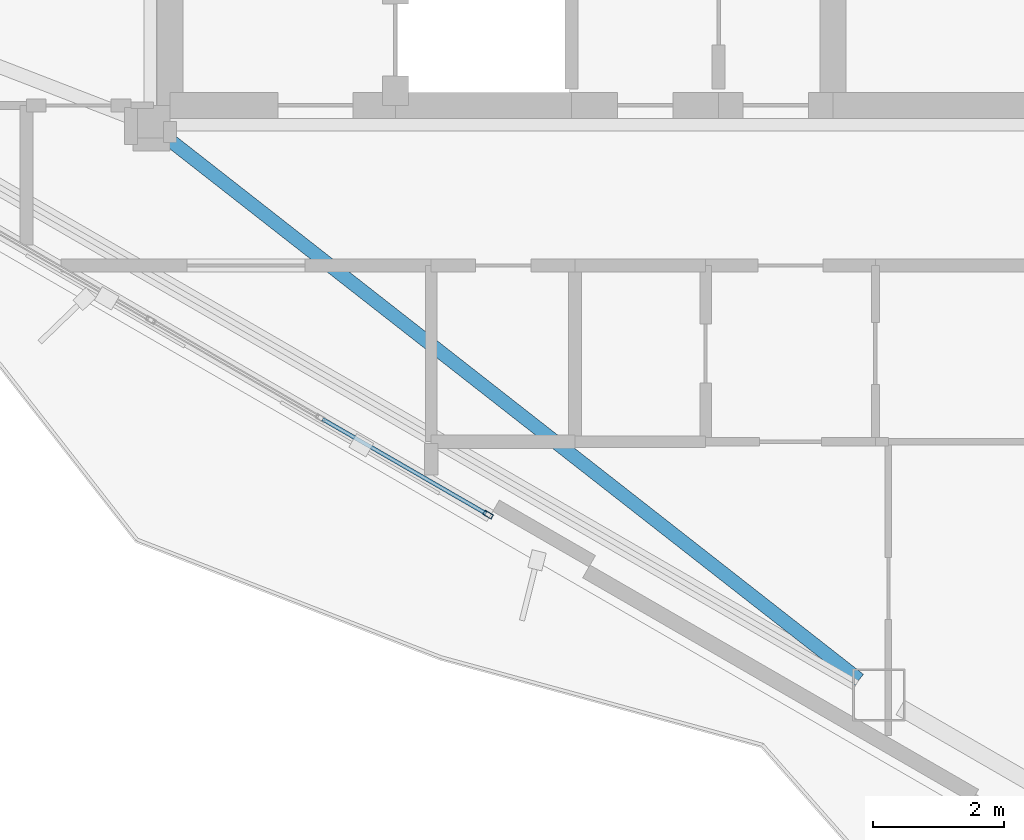
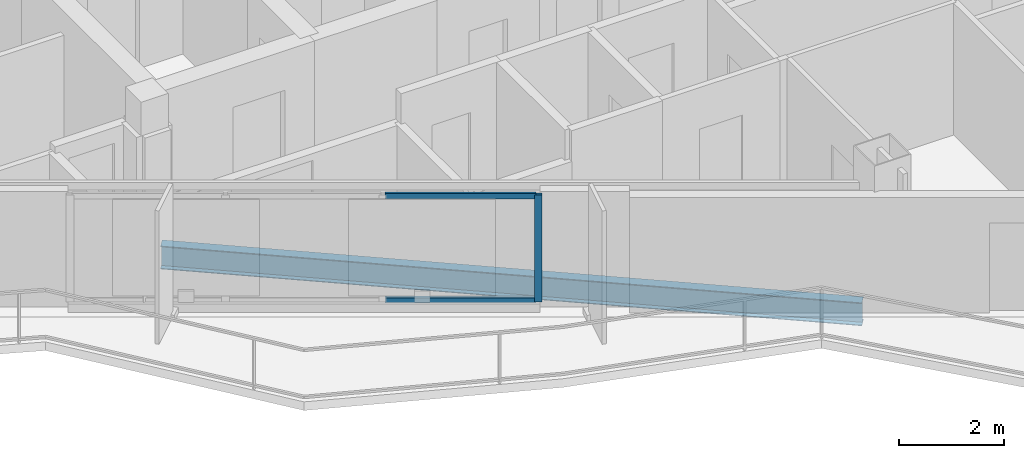
# One storey, part 4 of 22: 3 members, 1 beam, 1 element without a shape of its own.
"""IFC4 building model written with IfcOpenShell, lengths in metres."""

import ifcopenshell
import ifcopenshell.guid

model = None  # the IFC model being written
_history = None  # IfcOwnerHistory: only IFC2X3 demands one
_inside = {}  # id of a spatial element -> (the spatial element, [elements in it])
_under = {}  # id of a project, library or spatial element -> (it, [spatial elements below it])
_declared = {}  # id of a project -> (the project, [libraries it declares])
_typed = {}  # id of a type object -> (the type object, [elements of that type])
_made_of = {}  # id of a material, layer set ... -> (it, [elements and type objects made of it])


def new_model(schema):
    """Start an empty IFC model of exactly this schema.

    Asked for "IFC4X3", IfcOpenShell would pick the latest addendum, in which some entities
    have other attributes; the version numbers below select the first issue.
    IFC2X3 requires an IfcOwnerHistory on every rooted entity: one is made here for all.
    """
    global model, _history
    if schema == "IFC4X3":
        model = ifcopenshell.file(schema_version=(4, 3, 0, 0))
    else:
        model = ifcopenshell.file(schema=schema)
    _inside.clear()
    _under.clear()
    _declared.clear()
    _typed.clear()
    _made_of.clear()
    _history = None
    if model.schema == "IFC2X3":
        org = make("IfcOrganization", Name="unknown")
        user = make(
            "IfcPersonAndOrganization",
            ThePerson=make("IfcPerson", FamilyName="unknown"),
            TheOrganization=org,
        )
        app = make(
            "IfcApplication",
            ApplicationDeveloper=org,
            Version="unknown",
            ApplicationFullName="unknown",
            ApplicationIdentifier="unknown",
        )
        _history = make(
            "IfcOwnerHistory",
            OwningUser=user,
            OwningApplication=app,
            ChangeAction="ADDED",
            CreationDate=0,
        )
    return model


def make(cls, **values):
    """One entity of the class cls with the attributes given. An attribute that is None is left unset."""
    return model.create_entity(
        cls, **{name: value for name, value in values.items() if value is not None}
    )


def rooted(cls, **values):
    """An entity with a GlobalId (a new one), such as an element, a storey or a relation."""
    return make(cls, GlobalId=ifcopenshell.guid.new(), OwnerHistory=_history, **values)


def si_unit(unit_type, name, prefix=None):
    """IfcSIUnit, for example si_unit("LENGTHUNIT", "METRE", prefix="MILLI")."""
    return make("IfcSIUnit", UnitType=unit_type, Prefix=prefix, Name=name)


def assignment(units):
    """IfcUnitAssignment: the units of a project."""
    return None if units is None else make("IfcUnitAssignment", Units=units)


def point(xyz):
    """IfcCartesianPoint."""
    return None if xyz is None else make("IfcCartesianPoint", Coordinates=xyz)


def direction(xyz):
    """IfcDirection."""
    return None if xyz is None else make("IfcDirection", DirectionRatios=xyz)


def frame(location, z_axis=None, x_axis=None):
    """IfcAxis2Placement3D, a coordinate frame: its origin and axes. An axis left out is left unset."""
    return make(
        "IfcAxis2Placement3D",
        Location=point(location),
        Axis=direction(z_axis),
        RefDirection=direction(x_axis),
    )


def frame_2d(location, x_axis=None):
    """IfcAxis2Placement2D, a coordinate frame in the plane: its origin and x axis."""
    return make(
        "IfcAxis2Placement2D", Location=point(location), RefDirection=direction(x_axis)
    )


def origin():
    """The frame at (0, 0, 0) with its axes left unset."""
    return frame((0.0, 0.0, 0.0))


def origin_2d():
    """The frame at (0, 0) in the plane with its x axis left unset."""
    return frame_2d((0.0, 0.0))


def place(relative_to, where):
    """IfcLocalPlacement: puts the frame where relative to a parent placement (None: the world)."""
    return make(
        "IfcLocalPlacement", PlacementRelTo=relative_to, RelativePlacement=where
    )


def context(
    kind, dimensions, precision=None, world=None, true_north=None, identifier=None
):
    """IfcGeometricRepresentationContext, for example the 3D "Model" context."""
    return make(
        "IfcGeometricRepresentationContext",
        ContextIdentifier=identifier,
        ContextType=kind,
        CoordinateSpaceDimension=dimensions,
        Precision=precision,
        WorldCoordinateSystem=world,
        TrueNorth=true_north,
    )


def subcontext(parent, identifier, kind, view, scale=None):
    """IfcGeometricRepresentationSubContext, for example "Body" below "Model"."""
    return make(
        "IfcGeometricRepresentationSubContext",
        ContextIdentifier=identifier,
        ContextType=kind,
        ParentContext=parent,
        TargetScale=scale,
        TargetView=view,
    )


def project(units=None, contexts=None):
    """IfcProject with its units and contexts."""
    return rooted(
        "IfcProject",
        Name="project",
        RepresentationContexts=contexts,
        UnitsInContext=assignment(units),
    )


def spatial(cls, under=None, at=None, **own):
    """A site, building, storey or space (cls), placed at a placement, below another one or the project."""
    s = rooted(cls, ObjectPlacement=at, **own)
    if under is not None:
        _under.setdefault(under.id(), (under, []))[1].append(s)
    return s


def profile(cls, at=None, kind="AREA", **sizes):
    """A parametric profile (cls). Its sizes go by their IFC names, for example OverallWidth=200.0."""
    return make(cls, ProfileType=kind, Position=at, **sizes)


def hollow_rectangle(**sizes):
    """IfcRectangleHollowProfileDef."""
    return profile("IfcRectangleHollowProfileDef", **sizes)


def i_section(**sizes):
    """IfcIShapeProfileDef."""
    return profile("IfcIShapeProfileDef", **sizes)


def extrude(swept, where, along, depth):
    """IfcExtrudedAreaSolid: the profile swept, set in the frame where, extruded along a direction by depth."""
    return make(
        "IfcExtrudedAreaSolid",
        SweptArea=swept,
        Position=where,
        ExtrudedDirection=direction(along),
        Depth=depth,
    )


def shape(context_of_items, identifier, shape_type, items):
    """IfcShapeRepresentation: the items that make up one representation, for example the "Body"."""
    return make(
        "IfcShapeRepresentation",
        ContextOfItems=context_of_items,
        RepresentationIdentifier=identifier,
        RepresentationType=shape_type,
        Items=items,
    )


def material(Name=None, Category=None):
    """IfcMaterial."""
    return make("IfcMaterial", Name=Name, Category=Category)


def layer(
    of_material, thickness, ventilated=None, Name=None, Category=None, Priority=None
):
    """IfcMaterialLayer: one layer of a wall or slab, of a material (None: an air gap)."""
    return make(
        "IfcMaterialLayer",
        Material=of_material,
        LayerThickness=thickness,
        IsVentilated=ventilated,
        Name=Name,
        Category=Category,
        Priority=Priority,
    )


def layer_set(layers, Name=None):
    """IfcMaterialLayerSet."""
    return make("IfcMaterialLayerSet", MaterialLayers=layers, LayerSetName=Name)


def material_profile(
    of_material, cross_section, Name=None, Category=None, Priority=None
):
    """IfcMaterialProfile: a cross section and its material."""
    return make(
        "IfcMaterialProfile",
        Name=Name,
        Material=of_material,
        Profile=cross_section,
        Priority=Priority,
        Category=Category,
    )


def profile_set(profiles, Name=None, composite=None):
    """IfcMaterialProfileSet."""
    return make(
        "IfcMaterialProfileSet",
        Name=Name,
        MaterialProfiles=profiles,
        CompositeProfile=composite,
    )


def made_of(thing, what):
    """Note that an element or type object is made of a material, layer set ...; save() writes the relation."""
    if what is not None:
        _made_of.setdefault(what.id(), (what, []))[1].append(thing)
    return thing


def type_object(cls, material=None, **own):
    """A type object (cls), such as IfcWallType, which elements share."""
    return made_of(rooted(cls, **own), material)


def element(
    cls,
    number,
    at=None,
    inside=None,
    cuts=None,
    type_object=None,
    material=None,
    context=None,
    identifier="Body",
    shape_type=None,
    held_by="IfcProductDefinitionShape",
    body=None,
    shapes=None,
    **own,
):
    """One element of the class cls, such as IfcWall. Its Tag is "e" and its number.

    at: its placement. inside: the storey or other place that contains it. cuts: it is an
    opening in that element (IfcRelVoidsElement). A single representation is given by context,
    identifier, shape_type and body (its items); several are given by shapes. held_by: the class
    of the entity that holds the representations. save() writes the other relations.
    """
    e = rooted(cls, Tag="e%d" % number, ObjectPlacement=at, **own)
    if body is not None:
        shapes = [shape(context, identifier, shape_type, body)]
    if shapes is not None:
        e.Representation = make(held_by, Representations=shapes)
    if inside is not None:
        _inside.setdefault(inside.id(), (inside, []))[1].append(e)
    if cuts is not None:
        rooted(
            "IfcRelVoidsElement", RelatingBuildingElement=cuts, RelatedOpeningElement=e
        )
    if type_object is not None:
        _typed.setdefault(type_object.id(), (type_object, []))[1].append(e)
    return made_of(e, material)


def aggregate(whole, parts):
    """IfcRelAggregates: a whole, such as a stair, and the parts it consists of."""
    return rooted("IfcRelAggregates", RelatingObject=whole, RelatedObjects=parts)


def save(model, path):
    """Write the relations noted so far, then the file.

    IfcRelAggregates (storeys below a building ...), IfcRelContainedInSpatialStructure (elements
    in a storey), IfcRelDefinesByType, IfcRelAssociatesMaterial and IfcRelDeclares: one each for
    every whole, place, type object, material and project.
    """
    for whole, parts in _under.values():
        aggregate(whole, parts)
    for where, things in _inside.values():
        rooted(
            "IfcRelContainedInSpatialStructure",
            RelatedElements=things,
            RelatingStructure=where,
        )
    for kind, things in _typed.values():
        rooted("IfcRelDefinesByType", RelatedObjects=things, RelatingType=kind)
    for what, things in _made_of.values():
        rooted("IfcRelAssociatesMaterial", RelatedObjects=things, RelatingMaterial=what)
    for by, libraries in _declared.values():
        rooted("IfcRelDeclares", RelatingContext=by, RelatedDefinitions=libraries)
    model.write(path)


model = new_model("IFC4")

# Units and contexts
model_context = context("Model", 3, precision=1e-05, world=origin(), true_north=direction((0.0, 1.0)))
body_context = subcontext(model_context, "Body", "Model", "MODEL_VIEW")
ifc_project = project(units=[si_unit("LENGTHUNIT", "METRE"), si_unit("AREAUNIT", "SQUARE_METRE"), si_unit("VOLUMEUNIT", "CUBIC_METRE"), si_unit("PLANEANGLEUNIT", "RADIAN"), si_unit("MASSUNIT", "GRAM", prefix="KILO")], contexts=[model_context])

# Site, building, storey
site_placement = place(None, origin())
site = spatial("IfcSite", under=ifc_project, at=site_placement, CompositionType="ELEMENT")
building_placement = place(site_placement, origin())
building = spatial("IfcBuilding", under=site, at=building_placement, Name="Mersakhor Tower and Convention Hall", CompositionType="ELEMENT")
storey_placement = place(building_placement, frame((0.0, 0.0, 195.300048828125)))
storey = spatial("IfcBuildingStorey", under=building, at=storey_placement, Name="L54", CompositionType="ELEMENT", Elevation=195.300048828125)

# Beam
ifc_material_1 = material(Name="Steel S355", Category="steel")
ifc_material_profile_1 = material_profile(ifc_material_1, i_section(OverallWidth=0.2099609375, OverallDepth=0.53662109375, WebThickness=0.0107421875, FlangeThickness=0.017333984375, at=origin_2d()), Name="UB 533x210x101")
ifc_profile_set_1 = profile_set([ifc_material_profile_1], Name="Steel S355")
beam_type = type_object("IfcBeamType", Name="BM-FB-533", PredefinedType="BEAM", material=ifc_profile_set_1)
beam_placement = place(storey_placement, frame((22.12060546875, 20.27734375, -0.49853515625), z_axis=(0.78749660582, -0.616318988692, 0.0), x_axis=(0.616318988692, 0.78749660582, 0.0)))
element("IfcBeam", 1, at=beam_placement, inside=storey, type_object=beam_type, Name="L54 Primary Floor Girder FG-5", PredefinedType="BEAM", context=body_context, shape_type="SweptSolid", body=[
    extrude(i_section(OverallWidth=0.2099609375, OverallDepth=0.53662109375, WebThickness=0.0107421875, FlangeThickness=0.017333984375, at=origin_2d()), origin(), (0.0, 0.0, 1.0), 13.500732421875),
])

# Curtain wall, members
ifc_material_2 = material(Name="Dark solar low-E aluminium curtain wall", Category="aluminium")
ifc_layer = layer(ifc_material_2, 0.169921875)
ifc_layer_set = layer_set([ifc_layer], Name="Dark solar low-E aluminium curtain wall")
curtain_wall_type = type_object("IfcCurtainWallType", Name="CW-SYS-02", PredefinedType="USERDEFINED", material=ifc_layer_set)
curtain_wall_placement = place(storey_placement, origin())
curtain_wall = element("IfcCurtainWall", 2, at=curtain_wall_placement, inside=storey, type_object=curtain_wall_type, Name="L54 Dark-Glass Curtain Wall F3-B2", ObjectType="CURTAIN WALL", PredefinedType="USERDEFINED")
ifc_material_3 = material(Name="Anodised aluminium EN AW-6063 T6", Category="aluminium")
ifc_material_profile_2 = material_profile(ifc_material_3, hollow_rectangle(XDim=0.074951171875, YDim=0.14990234375, WallThickness=0.00634765625, at=origin_2d()), Name="RHS 150x75x6.3")
ifc_profile_set_2 = profile_set([ifc_material_profile_2], Name="Anodised aluminium EN AW-6063 T6")
member_type_1 = type_object("IfcMemberType", Name="CWM-150x75", PredefinedType="MULLION", material=ifc_profile_set_2)
member_1_placement = place(storey_placement, frame((27.06982421875, 14.483154296875, 0.199951171875), z_axis=(0.0, 0.0, 1.0), x_axis=(-0.500007824483, -0.86602088627, 0.0)))
member_1 = element("IfcMember", 3, at=member_1_placement, type_object=member_type_1, Name="CW-02 mullion 1", PredefinedType="MULLION", context=body_context, shape_type="SweptSolid", body=[
    extrude(hollow_rectangle(XDim=0.074951171875, YDim=0.14990234375, WallThickness=0.00634765625, at=origin_2d()), origin(), (0.0, 0.0, 1.0), 2.489990234375),
])
ifc_material_4 = material(Name="Anodised aluminium EN AW-6063 T6", Category="aluminium")
ifc_material_profile_3 = material_profile(ifc_material_4, hollow_rectangle(XDim=0.06005859375, YDim=0.1201171875, WallThickness=0.0048828125, at=origin_2d()), Name="RHS 120x60x5")
ifc_profile_set_3 = profile_set([ifc_material_profile_3], Name="Anodised aluminium EN AW-6063 T6")
member_type_2 = type_object("IfcMemberType", Name="CWT-120x60", PredefinedType="USERDEFINED", material=ifc_profile_set_3)
member_2_placement = place(storey_placement, frame((27.037353515625, 14.501953125, 0.22998046875), z_axis=(-0.86601237176, 0.50002257145, 0.0), x_axis=(-0.50002257145, -0.86601237176, 0.0)))
member_2 = element("IfcMember", 4, at=member_2_placement, type_object=member_type_2, Name="CW-02 transom 1.1", ObjectType="TRANSOM", PredefinedType="USERDEFINED", context=body_context, shape_type="SweptSolid", body=[
    extrude(hollow_rectangle(XDim=0.06005859375, YDim=0.1201171875, WallThickness=0.0048828125, at=origin_2d()), origin(), (0.0, 0.0, 1.0), 2.886962890625),
])
member_3_placement = place(storey_placement, frame((27.037353515625, 14.501953125, 2.659912109375), z_axis=(-0.86601237176, 0.50002257145, 0.0), x_axis=(-0.50002257145, -0.86601237176, 0.0)))
member_3 = element("IfcMember", 5, at=member_3_placement, type_object=member_type_2, Name="CW-02 transom 1.2", ObjectType="TRANSOM", PredefinedType="USERDEFINED", context=body_context, shape_type="SweptSolid", body=[
    extrude(hollow_rectangle(XDim=0.06005859375, YDim=0.1201171875, WallThickness=0.0048828125, at=origin_2d()), origin(), (0.0, 0.0, 1.0), 2.886962890625),
])
aggregate(curtain_wall, [member_1, member_2, member_3])

save(model, "model.ifc")
